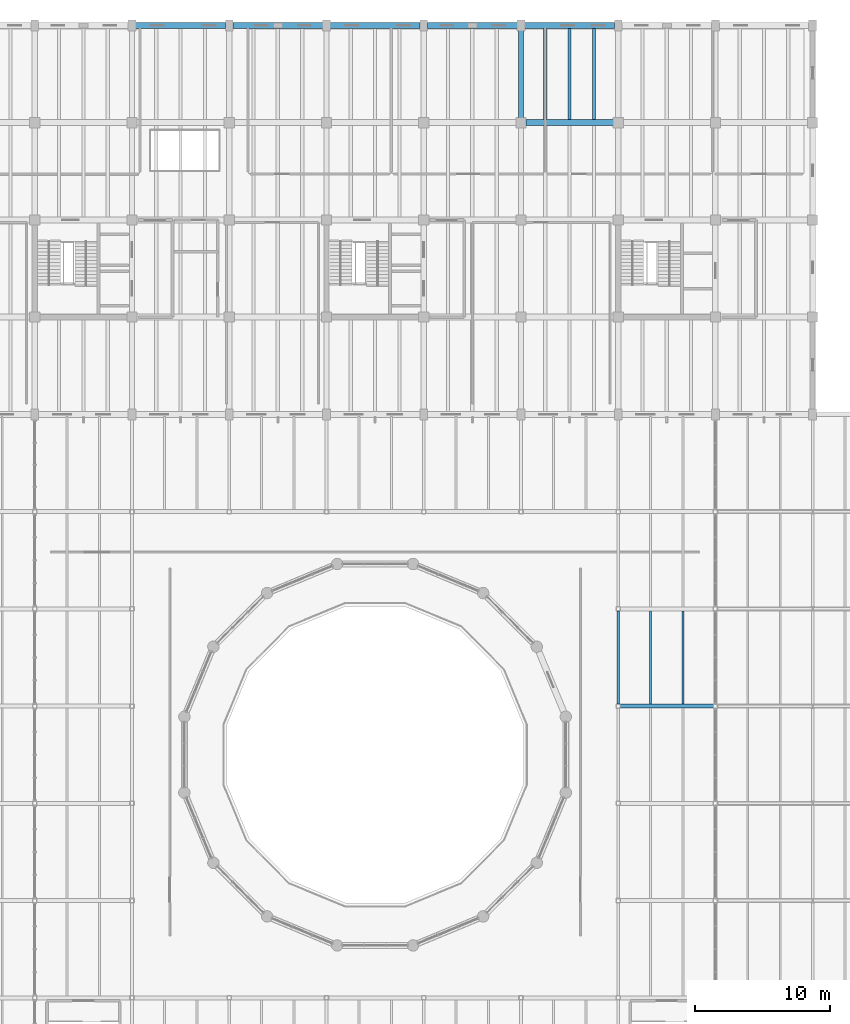
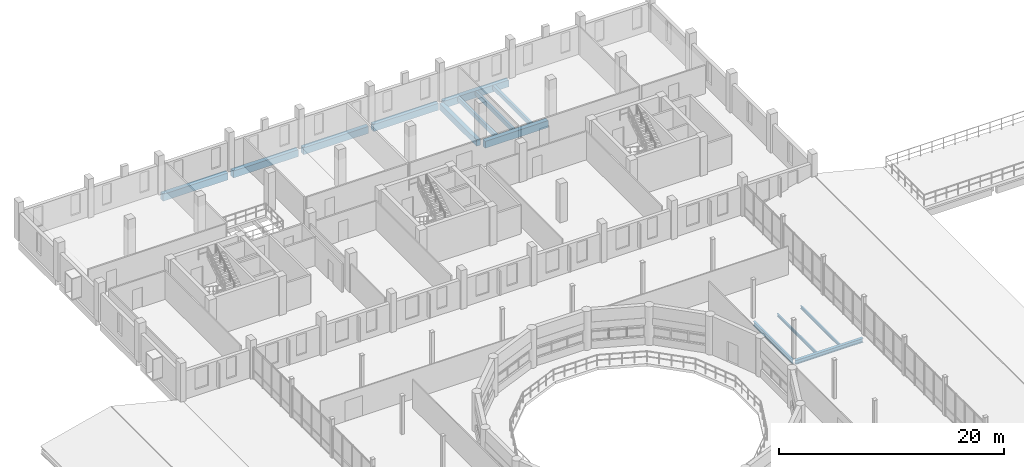
# One storey, part 33 of 63: 14 beams.
"""IFC4 building model written with IfcOpenShell, lengths in metres."""

import ifcopenshell
import ifcopenshell.guid

model = None  # the IFC model being written
_history = None  # IfcOwnerHistory: only IFC2X3 demands one
_inside = {}  # id of a spatial element -> (the spatial element, [elements in it])
_under = {}  # id of a project, library or spatial element -> (it, [spatial elements below it])
_declared = {}  # id of a project -> (the project, [libraries it declares])
_typed = {}  # id of a type object -> (the type object, [elements of that type])
_made_of = {}  # id of a material, layer set ... -> (it, [elements and type objects made of it])


def new_model(schema):
    """Start an empty IFC model of exactly this schema.

    Asked for "IFC4X3", IfcOpenShell would pick the latest addendum, in which some entities
    have other attributes; the version numbers below select the first issue.
    IFC2X3 requires an IfcOwnerHistory on every rooted entity: one is made here for all.
    """
    global model, _history
    if schema == "IFC4X3":
        model = ifcopenshell.file(schema_version=(4, 3, 0, 0))
    else:
        model = ifcopenshell.file(schema=schema)
    _inside.clear()
    _under.clear()
    _declared.clear()
    _typed.clear()
    _made_of.clear()
    _history = None
    if model.schema == "IFC2X3":
        org = make("IfcOrganization", Name="unknown")
        user = make(
            "IfcPersonAndOrganization",
            ThePerson=make("IfcPerson", FamilyName="unknown"),
            TheOrganization=org,
        )
        app = make(
            "IfcApplication",
            ApplicationDeveloper=org,
            Version="unknown",
            ApplicationFullName="unknown",
            ApplicationIdentifier="unknown",
        )
        _history = make(
            "IfcOwnerHistory",
            OwningUser=user,
            OwningApplication=app,
            ChangeAction="ADDED",
            CreationDate=0,
        )
    return model


def make(cls, **values):
    """One entity of the class cls with the attributes given. An attribute that is None is left unset."""
    return model.create_entity(
        cls, **{name: value for name, value in values.items() if value is not None}
    )


def rooted(cls, **values):
    """An entity with a GlobalId (a new one), such as an element, a storey or a relation."""
    return make(cls, GlobalId=ifcopenshell.guid.new(), OwnerHistory=_history, **values)


def si_unit(unit_type, name, prefix=None):
    """IfcSIUnit, for example si_unit("LENGTHUNIT", "METRE", prefix="MILLI")."""
    return make("IfcSIUnit", UnitType=unit_type, Prefix=prefix, Name=name)


def assignment(units):
    """IfcUnitAssignment: the units of a project."""
    return None if units is None else make("IfcUnitAssignment", Units=units)


def point(xyz):
    """IfcCartesianPoint."""
    return None if xyz is None else make("IfcCartesianPoint", Coordinates=xyz)


def direction(xyz):
    """IfcDirection."""
    return None if xyz is None else make("IfcDirection", DirectionRatios=xyz)


def frame(location, z_axis=None, x_axis=None):
    """IfcAxis2Placement3D, a coordinate frame: its origin and axes. An axis left out is left unset."""
    return make(
        "IfcAxis2Placement3D",
        Location=point(location),
        Axis=direction(z_axis),
        RefDirection=direction(x_axis),
    )


def frame_2d(location, x_axis=None):
    """IfcAxis2Placement2D, a coordinate frame in the plane: its origin and x axis."""
    return make(
        "IfcAxis2Placement2D", Location=point(location), RefDirection=direction(x_axis)
    )


def origin():
    """The frame at (0, 0, 0) with its axes left unset."""
    return frame((0.0, 0.0, 0.0))


def origin_2d():
    """The frame at (0, 0) in the plane with its x axis left unset."""
    return frame_2d((0.0, 0.0))


def place(relative_to, where):
    """IfcLocalPlacement: puts the frame where relative to a parent placement (None: the world)."""
    return make(
        "IfcLocalPlacement", PlacementRelTo=relative_to, RelativePlacement=where
    )


def context(
    kind, dimensions, precision=None, world=None, true_north=None, identifier=None
):
    """IfcGeometricRepresentationContext, for example the 3D "Model" context."""
    return make(
        "IfcGeometricRepresentationContext",
        ContextIdentifier=identifier,
        ContextType=kind,
        CoordinateSpaceDimension=dimensions,
        Precision=precision,
        WorldCoordinateSystem=world,
        TrueNorth=true_north,
    )


def subcontext(parent, identifier, kind, view, scale=None):
    """IfcGeometricRepresentationSubContext, for example "Body" below "Model"."""
    return make(
        "IfcGeometricRepresentationSubContext",
        ContextIdentifier=identifier,
        ContextType=kind,
        ParentContext=parent,
        TargetScale=scale,
        TargetView=view,
    )


def project(units=None, contexts=None):
    """IfcProject with its units and contexts."""
    return rooted(
        "IfcProject",
        Name="project",
        RepresentationContexts=contexts,
        UnitsInContext=assignment(units),
    )


def spatial(cls, under=None, at=None, **own):
    """A site, building, storey or space (cls), placed at a placement, below another one or the project."""
    s = rooted(cls, ObjectPlacement=at, **own)
    if under is not None:
        _under.setdefault(under.id(), (under, []))[1].append(s)
    return s


def profile(cls, at=None, kind="AREA", **sizes):
    """A parametric profile (cls). Its sizes go by their IFC names, for example OverallWidth=200.0."""
    return make(cls, ProfileType=kind, Position=at, **sizes)


def rectangle(**sizes):
    """IfcRectangleProfileDef."""
    return profile("IfcRectangleProfileDef", **sizes)


def i_section(**sizes):
    """IfcIShapeProfileDef."""
    return profile("IfcIShapeProfileDef", **sizes)


def extrude(swept, where, along, depth):
    """IfcExtrudedAreaSolid: the profile swept, set in the frame where, extruded along a direction by depth."""
    return make(
        "IfcExtrudedAreaSolid",
        SweptArea=swept,
        Position=where,
        ExtrudedDirection=direction(along),
        Depth=depth,
    )


def shape(context_of_items, identifier, shape_type, items):
    """IfcShapeRepresentation: the items that make up one representation, for example the "Body"."""
    return make(
        "IfcShapeRepresentation",
        ContextOfItems=context_of_items,
        RepresentationIdentifier=identifier,
        RepresentationType=shape_type,
        Items=items,
    )


def material(Name=None, Category=None):
    """IfcMaterial."""
    return make("IfcMaterial", Name=Name, Category=Category)


def material_profile(
    of_material, cross_section, Name=None, Category=None, Priority=None
):
    """IfcMaterialProfile: a cross section and its material."""
    return make(
        "IfcMaterialProfile",
        Name=Name,
        Material=of_material,
        Profile=cross_section,
        Priority=Priority,
        Category=Category,
    )


def profile_set(profiles, Name=None, composite=None):
    """IfcMaterialProfileSet."""
    return make(
        "IfcMaterialProfileSet",
        Name=Name,
        MaterialProfiles=profiles,
        CompositeProfile=composite,
    )


def made_of(thing, what):
    """Note that an element or type object is made of a material, layer set ...; save() writes the relation."""
    if what is not None:
        _made_of.setdefault(what.id(), (what, []))[1].append(thing)
    return thing


def type_object(cls, material=None, **own):
    """A type object (cls), such as IfcWallType, which elements share."""
    return made_of(rooted(cls, **own), material)


def element(
    cls,
    number,
    at=None,
    inside=None,
    cuts=None,
    type_object=None,
    material=None,
    context=None,
    identifier="Body",
    shape_type=None,
    held_by="IfcProductDefinitionShape",
    body=None,
    shapes=None,
    **own,
):
    """One element of the class cls, such as IfcWall. Its Tag is "e" and its number.

    at: its placement. inside: the storey or other place that contains it. cuts: it is an
    opening in that element (IfcRelVoidsElement). A single representation is given by context,
    identifier, shape_type and body (its items); several are given by shapes. held_by: the class
    of the entity that holds the representations. save() writes the other relations.
    """
    e = rooted(cls, Tag="e%d" % number, ObjectPlacement=at, **own)
    if body is not None:
        shapes = [shape(context, identifier, shape_type, body)]
    if shapes is not None:
        e.Representation = make(held_by, Representations=shapes)
    if inside is not None:
        _inside.setdefault(inside.id(), (inside, []))[1].append(e)
    if cuts is not None:
        rooted(
            "IfcRelVoidsElement", RelatingBuildingElement=cuts, RelatedOpeningElement=e
        )
    if type_object is not None:
        _typed.setdefault(type_object.id(), (type_object, []))[1].append(e)
    return made_of(e, material)


def aggregate(whole, parts):
    """IfcRelAggregates: a whole, such as a stair, and the parts it consists of."""
    return rooted("IfcRelAggregates", RelatingObject=whole, RelatedObjects=parts)


def save(model, path):
    """Write the relations noted so far, then the file.

    IfcRelAggregates (storeys below a building ...), IfcRelContainedInSpatialStructure (elements
    in a storey), IfcRelDefinesByType, IfcRelAssociatesMaterial and IfcRelDeclares: one each for
    every whole, place, type object, material and project.
    """
    for whole, parts in _under.values():
        aggregate(whole, parts)
    for where, things in _inside.values():
        rooted(
            "IfcRelContainedInSpatialStructure",
            RelatedElements=things,
            RelatingStructure=where,
        )
    for kind, things in _typed.values():
        rooted("IfcRelDefinesByType", RelatedObjects=things, RelatingType=kind)
    for what, things in _made_of.values():
        rooted("IfcRelAssociatesMaterial", RelatedObjects=things, RelatingMaterial=what)
    for by, libraries in _declared.values():
        rooted("IfcRelDeclares", RelatingContext=by, RelatedDefinitions=libraries)
    model.write(path)


model = new_model("IFC4")

# Units and contexts
model_context = context("Model", 3, precision=1e-05, world=origin(), true_north=direction((0.0, 1.0)))
body_context = subcontext(model_context, "Body", "Model", "MODEL_VIEW")
ifc_project = project(units=[si_unit("LENGTHUNIT", "METRE"), si_unit("AREAUNIT", "SQUARE_METRE"), si_unit("VOLUMEUNIT", "CUBIC_METRE"), si_unit("PLANEANGLEUNIT", "RADIAN"), si_unit("MASSUNIT", "GRAM", prefix="KILO")], contexts=[model_context])

# Site, building, storey
site_placement = place(None, origin())
site = spatial("IfcSite", under=ifc_project, at=site_placement, CompositionType="ELEMENT")
building_placement = place(site_placement, origin())
building = spatial("IfcBuilding", under=site, at=building_placement, Name="Qiaolan Assembly House", CompositionType="ELEMENT")
storey_placement = place(building_placement, frame((0.0, 0.0, 14.39990234375)))
storey = spatial("IfcBuildingStorey", under=building, at=storey_placement, Name="L03", CompositionType="ELEMENT", Elevation=14.39990234375)

# Beams
ifc_material_1 = material(Name="Concrete C40/50", Category="concrete")
ifc_material_profile_1 = material_profile(ifc_material_1, rectangle(XDim=0.39990234375, YDim=0.699951171875, at=origin_2d()), Name="RCB 400x700")
ifc_profile_set_1 = profile_set([ifc_material_profile_1], Name="Concrete C40/50")
beam_type_1 = type_object("IfcBeamType", Name="BM-RC-400x700", PredefinedType="BEAM", material=ifc_profile_set_1)
beam_1_placement = place(storey_placement, frame((79.199951171875, 108.364990234375, -0.579833984375), z_axis=(0.0, 1.0, 0.0), x_axis=(-1.0, 0.0, 0.0)))
element("IfcBeam", 1, at=beam_1_placement, inside=storey, type_object=beam_type_1, Name="GB-05 beam BMY-NW-L03-06-03", PredefinedType="BEAM", context=body_context, shape_type="SweptSolid", body=[
    extrude(rectangle(XDim=0.39990234375, YDim=0.699951171875, at=origin_2d()), origin(), (0.0, 0.0, 1.0), 6.570068359375),
])
ifc_material_profile_2 = material_profile(ifc_material_1, rectangle(XDim=0.449951171875, YDim=0.75, at=origin_2d()), Name="RCB 450x750")
ifc_profile_set_2 = profile_set([ifc_material_profile_2], Name="Concrete C40/50")
beam_type_2 = type_object("IfcBeamType", Name="BM-RC-450x750", PredefinedType="BEAM", material=ifc_profile_set_2)
beam_2_placement = place(storey_placement, frame((79.56494140625, 108.0, -0.60498046875), z_axis=(1.0, 0.0, 0.0), x_axis=(0.0, 1.0, 0.0)))
element("IfcBeam", 2, at=beam_2_placement, inside=storey, type_object=beam_type_2, Name="GB-04 beam BMX-NW-L03-06-03", PredefinedType="BEAM", context=body_context, shape_type="SweptSolid", body=[
    extrude(rectangle(XDim=0.449951171875, YDim=0.75, at=origin_2d()), origin(), (0.0, 0.0, 1.0), 6.469970703125),
])
for number, where, z_axis, x_axis, name in (
    (3, (50.6650390625, 115.199951171875, -0.60498046875), (1.0, 0.0, 0.0), (0.0, 1.0, 0.0), "GB-04 beam BMX-NW-L03-02-04"),
    (4, (57.864990234375, 115.199951171875, -0.60498046875), (1.0, 0.0, 0.0), (0.0, 1.0, 0.0), "GB-04 beam BMX-NW-L03-03-04"),
):
    element("IfcBeam", number, at=place(storey_placement, frame(where, z_axis=z_axis, x_axis=x_axis)), inside=storey, type_object=beam_type_2, Name=name, PredefinedType="BEAM", context=body_context, shape_type="SweptSolid", body=[
        extrude(rectangle(XDim=0.449951171875, YDim=0.75, at=origin_2d()), origin(), (0.0, 0.0, 1.0), 6.669921875),
    ])
for number, where, z_axis, x_axis, name in (
    (5, (65.06494140625, 115.199951171875, -0.60498046875), (1.0, 0.0, 0.0), (0.0, 1.0, 0.0), "GB-04 beam BMX-NW-L03-04-04"),
    (6, (72.264892578125, 115.199951171875, -0.60498046875), (1.0, 0.0, 0.0), (0.0, 1.0, 0.0), "GB-04 beam BMX-NW-L03-05-04"),
):
    element("IfcBeam", number, at=place(storey_placement, frame(where, z_axis=z_axis, x_axis=x_axis)), inside=storey, type_object=beam_type_2, Name=name, PredefinedType="BEAM", context=body_context, shape_type="SweptSolid", body=[
        extrude(rectangle(XDim=0.449951171875, YDim=0.75, at=origin_2d()), origin(), (0.0, 0.0, 1.0), 6.670166015625),
    ])
beam_3_placement = place(storey_placement, frame((79.465087890625, 115.199951171875, -0.60498046875), z_axis=(1.0, 0.0, 0.0), x_axis=(0.0, 1.0, 0.0)))
element("IfcBeam", 7, at=beam_3_placement, inside=storey, type_object=beam_type_2, Name="GB-04 beam BMX-NW-L03-06-04", PredefinedType="BEAM", context=body_context, shape_type="SweptSolid", body=[
    extrude(rectangle(XDim=0.449951171875, YDim=0.75, at=origin_2d()), origin(), (0.0, 0.0, 1.0), 6.669921875),
])
ifc_material_2 = material(Name="Steel Q355B", Category="steel")
ifc_material_profile_3 = material_profile(ifc_material_2, i_section(OverallWidth=0.300048828125, OverallDepth=0.43994140625, WebThickness=0.010986328125, FlangeThickness=0.01806640625, FilletRadius=0.02001953125, at=origin_2d()), Name="HM 440x300x11x18")
ifc_profile_set_3 = profile_set([ifc_material_profile_3], Name="Steel Q355B")
beam_type_3 = type_object("IfcBeamType", Name="BM-STL-HM440", PredefinedType="BEAM", material=ifc_profile_set_3)
beam_4_placement = place(storey_placement, frame((86.5400390625, 64.800048828125, -0.52001953125), z_axis=(1.0, 0.0, 0.0), x_axis=(0.0, 1.0, 0.0)))
element("IfcBeam", 8, at=beam_4_placement, inside=storey, type_object=beam_type_3, Name="SB-06 beam BMX-HLC-L03-06-04", PredefinedType="BEAM", context=body_context, shape_type="SweptSolid", body=[
    extrude(i_section(OverallWidth=0.300048828125, OverallDepth=0.43994140625, WebThickness=0.010986328125, FlangeThickness=0.01806640625, FilletRadius=0.02001953125, at=origin_2d()), origin(), (0.0, 0.0, 1.0), 6.919921875),
])
ifc_material_profile_4 = material_profile(ifc_material_2, i_section(OverallWidth=0.199951171875, OverallDepth=0.449951171875, WebThickness=0.009033203125, FlangeThickness=0.013916015625, FilletRadius=0.01611328125, at=origin_2d()), Name="HN 450x200x9x14")
ifc_profile_set_4 = profile_set([ifc_material_profile_4], Name="Steel Q355B")
beam_type_4 = type_object("IfcBeamType", Name="BM-STL-HN450", PredefinedType="BEAM", material=ifc_profile_set_4)
beam_5_placement = place(storey_placement, frame((86.39990234375, 64.93994140625, -0.52490234375), z_axis=(0.0, 1.0, 0.0), x_axis=(-1.0, 0.0, 0.0)))
element("IfcBeam", 9, at=beam_5_placement, inside=storey, type_object=beam_type_4, Name="SB-07 beam BMY-HLC-L03-06-04", PredefinedType="BEAM", context=body_context, shape_type="SweptSolid", body=[
    extrude(i_section(OverallWidth=0.199951171875, OverallDepth=0.449951171875, WebThickness=0.009033203125, FlangeThickness=0.013916015625, FilletRadius=0.01611328125, at=origin_2d()), origin(), (0.0, 0.0, 1.0), 6.920166015625),
])
ifc_material_profile_5 = material_profile(ifc_material_1, rectangle(XDim=0.239990234375, YDim=0.47998046875, at=origin_2d()), Name="RCB 240x480")
ifc_profile_set_5 = profile_set([ifc_material_profile_5], Name="Concrete C40/50")
beam_type_5 = type_object("IfcBeamType", Name="JST-RC-240x480", PredefinedType="JOIST", material=ifc_profile_set_5)
for number, where, z_axis, x_axis, name in (
    (10, (81.0, 108.218994140625, -0.469970703125), (0.0, 1.0, 0.0), (-1.0, 0.0, 0.0), "RJ-05 beam JST-NW-L03-06-03-1"),
    (11, (82.800048828125, 108.218994140625, -0.469970703125), (0.0, 1.0, 0.0), (-1.0, 0.0, 0.0), "RJ-05 beam JST-NW-L03-06-03-2"),
    (12, (84.60009765625, 108.218994140625, -0.469970703125), (0.0, 1.0, 0.0), (-1.0, 0.0, 0.0), "RJ-05 beam JST-NW-L03-06-03-3"),
):
    element("IfcBeam", number, at=place(storey_placement, frame(where, z_axis=z_axis, x_axis=x_axis)), inside=storey, type_object=beam_type_5, Name=name, PredefinedType="JOIST", context=body_context, shape_type="SweptSolid", body=[
        extrude(rectangle(XDim=0.239990234375, YDim=0.47998046875, at=origin_2d()), origin(), (0.0, 0.0, 1.0), 6.761962890625),
    ])
ifc_material_profile_6 = material_profile(ifc_material_2, i_section(OverallWidth=0.14990234375, OverallDepth=0.300048828125, WebThickness=0.006591796875, FlangeThickness=0.009033203125, FilletRadius=0.012939453125, at=origin_2d()), Name="HN 300x150x6.5x9")
ifc_profile_set_6 = profile_set([ifc_material_profile_6], Name="Steel Q355B")
beam_type_6 = type_object("IfcBeamType", Name="JST-STL-HN300", PredefinedType="JOIST", material=ifc_profile_set_6)
for number, where, z_axis, x_axis, name in (
    (13, (88.800048828125, 64.944091796875, -0.449951171875), (0.0, 1.0, 0.0), (-1.0, 0.0, 0.0), "SJ-02 beam JST-HLC-L03-06-04-1"),
    (14, (91.199951171875, 64.944091796875, -0.449951171875), (0.0, 1.0, 0.0), (-1.0, 0.0, 0.0), "SJ-02 beam JST-HLC-L03-06-04-2"),
):
    element("IfcBeam", number, at=place(storey_placement, frame(where, z_axis=z_axis, x_axis=x_axis)), inside=storey, type_object=beam_type_6, Name=name, PredefinedType="JOIST", context=body_context, shape_type="SweptSolid", body=[
        extrude(i_section(OverallWidth=0.14990234375, OverallDepth=0.300048828125, WebThickness=0.006591796875, FlangeThickness=0.009033203125, FilletRadius=0.012939453125, at=origin_2d()), origin(), (0.0, 0.0, 1.0), 6.911865234375),
    ])

save(model, "model.ifc")
